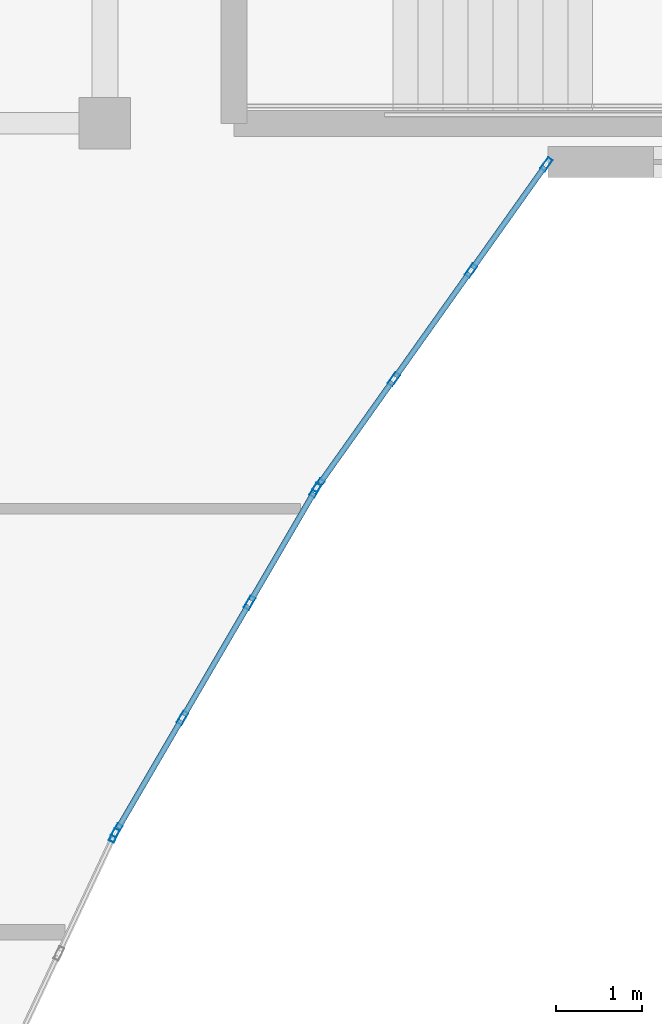
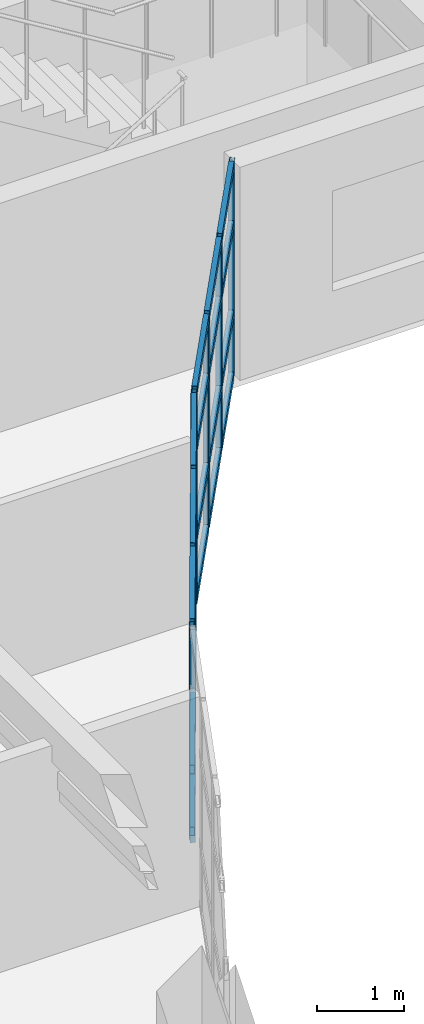
# One storey, part 8 of 79: 33 members, 3 elements without a shape of their own.
"""IFC4 building model written with IfcOpenShell, lengths in metres."""

from ifc_helpers import new_model, si_unit, direction, frame, origin, origin_2d, place, context, subcontext, project, spatial, hollow_rectangle, extrude, material, layer, layer_set, material_profile, profile_set, type_object, element, aggregate, save


model = new_model("IFC4")

# Units and contexts
model_context = context("Model", 3, precision=1e-05, world=origin(), true_north=direction((0.0, 1.0)))
body_context = subcontext(model_context, "Body", "Model", "MODEL_VIEW")
ifc_project = project(units=[si_unit("LENGTHUNIT", "METRE"), si_unit("AREAUNIT", "SQUARE_METRE"), si_unit("VOLUMEUNIT", "CUBIC_METRE"), si_unit("PLANEANGLEUNIT", "RADIAN"), si_unit("MASSUNIT", "GRAM", prefix="KILO")], contexts=[model_context])

# Site, building, storey
site_placement = place(None, origin())
site = spatial("IfcSite", under=ifc_project, at=site_placement, CompositionType="ELEMENT")
building_placement = place(site_placement, origin())
building = spatial("IfcBuilding", under=site, at=building_placement, Name="Keldmere Railside Commons", CompositionType="ELEMENT")
storey_placement = place(building_placement, frame((0.0, 0.0, 10.56005859375)))
storey = spatial("IfcBuildingStorey", under=building, at=storey_placement, Name="L03", CompositionType="ELEMENT", Elevation=10.56005859375)

# Curtain wall, member
ifc_material = material(Name="Thermally Broken Aluminium", Category="aluminium")
ifc_layer_1 = layer(ifc_material, 0.159912109375, Name="Court Chord Wintergarden CW 4800x2850")
ifc_layer_set_1 = layer_set([ifc_layer_1], Name="Thermally Broken Aluminium")
curtain_wall_type_1 = type_object("IfcCurtainWallType", Name="Court Chord Wintergarden CW 4800x2850", PredefinedType="NOTDEFINED", material=ifc_layer_set_1)
curtain_wall_1_placement = place(storey_placement, origin())
curtain_wall_1 = element("IfcCurtainWall", 1, at=curtain_wall_1_placement, inside=storey, type_object=curtain_wall_type_1, Name="CW-12 CW-L03-010", PredefinedType="NOTDEFINED")
ifc_material_profile_1 = material_profile(ifc_material, hollow_rectangle(XDim=0.06494140625, YDim=0.159912109375, WallThickness=0.00390625, at=origin_2d()), Name="ALU-MULL-65x160")
ifc_profile_set_1 = profile_set([ifc_material_profile_1], Name="Thermally Broken Aluminium")
member_type_1 = type_object("IfcMemberType", Name="Unitised Curtain Wall Mullion 65x160", PredefinedType="MULLION", material=ifc_profile_set_1)
member_1_placement = place(storey_placement, frame((25.958251953125, 92.173583984375, 0.0), z_axis=(0.0, 0.0, 1.0), x_axis=(0.905306255478, -0.424759442264, 0.0)))
member_1 = element("IfcMember", 2, at=member_1_placement, type_object=member_type_1, Name="CW-12 mullion 1", PredefinedType="MULLION", context=body_context, shape_type="SweptSolid", body=[
    extrude(hollow_rectangle(XDim=0.06494140625, YDim=0.159912109375, WallThickness=0.00390625, at=origin_2d()), origin(), (0.0, 0.0, 1.0), 2.97998046875),
])
aggregate(curtain_wall_1, [member_1])

# Curtain wall, members
ifc_layer_2 = layer(ifc_material, 0.159912109375, Name="Court Chord Wintergarden CW 5400x2850")
ifc_layer_set_2 = layer_set([ifc_layer_2], Name="Thermally Broken Aluminium")
curtain_wall_type_2 = type_object("IfcCurtainWallType", Name="Court Chord Wintergarden CW 5400x2850", PredefinedType="NOTDEFINED", material=ifc_layer_set_2)
curtain_wall_2_placement = place(storey_placement, origin())
curtain_wall_2 = element("IfcCurtainWall", 3, at=curtain_wall_2_placement, inside=storey, type_object=curtain_wall_type_2, Name="CW-13 CW-L03-011", PredefinedType="NOTDEFINED")
member_2_placement = place(storey_placement, frame((28.295654296875, 96.18603515625, 0.0), z_axis=(0.0, 0.0, 1.0), x_axis=(0.86375546846, -0.503911193272, 0.0)))
member_2 = element("IfcMember", 4, at=member_2_placement, type_object=member_type_1, Name="CW-13 mullion 1", PredefinedType="MULLION", context=body_context, shape_type="SweptSolid", body=[
    extrude(hollow_rectangle(XDim=0.06494140625, YDim=0.159912109375, WallThickness=0.00390625, at=origin_2d()), origin(), (0.0, 0.0, 1.0), 2.97998046875),
])
member_3_placement = place(storey_placement, frame((27.531982421875, 94.876953125, 0.0), z_axis=(0.0, 0.0, 1.0), x_axis=(0.86375546846, -0.503911193272, 0.0)))
member_3 = element("IfcMember", 5, at=member_3_placement, type_object=member_type_1, Name="CW-13 mullion 2", PredefinedType="MULLION", context=body_context, shape_type="SweptSolid", body=[
    extrude(hollow_rectangle(XDim=0.06494140625, YDim=0.159912109375, WallThickness=0.00390625, at=origin_2d()), origin(), (0.0, 0.0, 1.0), 2.97998046875),
])
member_4_placement = place(storey_placement, frame((26.751953125, 93.5400390625, 0.0), z_axis=(0.0, 0.0, 1.0), x_axis=(0.86375546846, -0.503911193272, 0.0)))
member_4 = element("IfcMember", 6, at=member_4_placement, type_object=member_type_1, Name="CW-13 mullion 3", PredefinedType="MULLION", context=body_context, shape_type="SweptSolid", body=[
    extrude(hollow_rectangle(XDim=0.06494140625, YDim=0.159912109375, WallThickness=0.00390625, at=origin_2d()), origin(), (0.0, 0.0, 1.0), 2.97998046875),
])
member_5_placement = place(storey_placement, frame((25.98828125, 92.23095703125, 0.0), z_axis=(0.0, 0.0, 1.0), x_axis=(0.86375546846, -0.503911193272, 0.0)))
member_5 = element("IfcMember", 7, at=member_5_placement, type_object=member_type_1, Name="CW-13 mullion 4", PredefinedType="MULLION", context=body_context, shape_type="SweptSolid", body=[
    extrude(hollow_rectangle(XDim=0.06494140625, YDim=0.159912109375, WallThickness=0.00390625, at=origin_2d()), origin(), (0.0, 0.0, 1.0), 2.97998046875),
])

curtain_wall_3_placement = place(storey_placement, origin())
curtain_wall_3 = element("IfcCurtainWall", 8, at=curtain_wall_3_placement, inside=storey, type_object=curtain_wall_type_1, Name="CW-12 CW-L03-012", PredefinedType="NOTDEFINED")
member_6_placement = place(storey_placement, frame((30.981201171875, 99.973388671875, 0.0), z_axis=(0.0, 0.0, 1.0), x_axis=(0.815389084395, -0.578913327753, 0.0)))
member_6 = element("IfcMember", 9, at=member_6_placement, type_object=member_type_1, Name="CW-12 mullion 1", PredefinedType="MULLION", context=body_context, shape_type="SweptSolid", body=[
    extrude(hollow_rectangle(XDim=0.06494140625, YDim=0.159912109375, WallThickness=0.00390625, at=origin_2d()), origin(), (0.0, 0.0, 1.0), 2.97998046875),
])
member_7_placement = place(storey_placement, frame((30.10400390625, 98.738037109375, 0.0), z_axis=(0.0, 0.0, 1.0), x_axis=(0.815389084395, -0.578913327753, 0.0)))
member_7 = element("IfcMember", 10, at=member_7_placement, type_object=member_type_1, Name="CW-12 mullion 2", PredefinedType="MULLION", context=body_context, shape_type="SweptSolid", body=[
    extrude(hollow_rectangle(XDim=0.06494140625, YDim=0.159912109375, WallThickness=0.00390625, at=origin_2d()), origin(), (0.0, 0.0, 1.0), 2.97998046875),
])
member_8_placement = place(storey_placement, frame((29.2080078125, 97.47607421875, 0.0), z_axis=(0.0, 0.0, 1.0), x_axis=(0.815389084395, -0.578913327753, 0.0)))
member_8 = element("IfcMember", 11, at=member_8_placement, type_object=member_type_1, Name="CW-12 mullion 3", PredefinedType="MULLION", context=body_context, shape_type="SweptSolid", body=[
    extrude(hollow_rectangle(XDim=0.06494140625, YDim=0.159912109375, WallThickness=0.00390625, at=origin_2d()), origin(), (0.0, 0.0, 1.0), 2.97998046875),
])
member_9_placement = place(storey_placement, frame((28.330810546875, 96.240478515625, 0.0), z_axis=(0.0, 0.0, 1.0), x_axis=(0.815389084395, -0.578913327753, 0.0)))
member_9 = element("IfcMember", 12, at=member_9_placement, type_object=member_type_1, Name="CW-12 mullion 4", PredefinedType="MULLION", context=body_context, shape_type="SweptSolid", body=[
    extrude(hollow_rectangle(XDim=0.06494140625, YDim=0.159912109375, WallThickness=0.00390625, at=origin_2d()), origin(), (0.0, 0.0, 1.0), 2.97998046875),
])

# Member
ifc_material_profile_2 = material_profile(ifc_material, hollow_rectangle(XDim=0.06494140625, YDim=0.1201171875, WallThickness=0.00390625, at=origin_2d()), Name="ALU-TRAN-65x120")
ifc_profile_set_2 = profile_set([ifc_material_profile_2], Name="Thermally Broken Aluminium")
member_type_2 = type_object("IfcMemberType", Name="Unitised Curtain Wall Transom 65x120", PredefinedType="USERDEFINED", material=ifc_profile_set_2)
member_10_placement = place(storey_placement, frame((28.279296875, 96.157958984375, 0.032470703125), z_axis=(-0.503912883812, -0.863754482205, 0.0), x_axis=(0.863754482205, -0.503912883812, 0.0)))
member_10 = element("IfcMember", 13, at=member_10_placement, type_object=member_type_2, Name="CW-13 transom 1.1", ObjectType="TRANSOM", PredefinedType="USERDEFINED", context=body_context, shape_type="SweptSolid", body=[
    extrude(hollow_rectangle(XDim=0.06494140625, YDim=0.1201171875, WallThickness=0.00390625, at=origin_2d()), origin(), (0.0, 0.0, 1.0), 1.45068359375),
])

member_11_placement = place(storey_placement, frame((28.279296875, 96.157958984375, 0.89990234375), z_axis=(-0.503912883812, -0.863754482205, 0.0), x_axis=(0.863754482205, -0.503912883812, 0.0)))
member_11 = element("IfcMember", 14, at=member_11_placement, type_object=member_type_2, Name="CW-13 transom 1.2", ObjectType="TRANSOM", PredefinedType="USERDEFINED", context=body_context, shape_type="SweptSolid", body=[
    extrude(hollow_rectangle(XDim=0.06494140625, YDim=0.1201171875, WallThickness=0.00390625, at=origin_2d()), origin(), (0.0, 0.0, 1.0), 1.45068359375),
])

member_12_placement = place(storey_placement, frame((28.279296875, 96.157958984375, 2.14990234375), z_axis=(-0.503912883812, -0.863754482205, 0.0), x_axis=(0.863754482205, -0.503912883812, 0.0)))
member_12 = element("IfcMember", 15, at=member_12_placement, type_object=member_type_2, Name="CW-13 transom 1.3", ObjectType="TRANSOM", PredefinedType="USERDEFINED", context=body_context, shape_type="SweptSolid", body=[
    extrude(hollow_rectangle(XDim=0.06494140625, YDim=0.1201171875, WallThickness=0.00390625, at=origin_2d()), origin(), (0.0, 0.0, 1.0), 1.45068359375),
])

member_13_placement = place(storey_placement, frame((28.279296875, 96.157958984375, 2.947509765625), z_axis=(-0.503912883812, -0.863754482205, 0.0), x_axis=(0.863754482205, -0.503912883812, 0.0)))
member_13 = element("IfcMember", 16, at=member_13_placement, type_object=member_type_2, Name="CW-13 transom 1.4", ObjectType="TRANSOM", PredefinedType="USERDEFINED", context=body_context, shape_type="SweptSolid", body=[
    extrude(hollow_rectangle(XDim=0.06494140625, YDim=0.1201171875, WallThickness=0.00390625, at=origin_2d()), origin(), (0.0, 0.0, 1.0), 1.45068359375),
])

member_14_placement = place(storey_placement, frame((27.515625, 94.848876953125, 0.032470703125), z_axis=(-0.503973390927, -0.863719179616, 0.0), x_axis=(0.863719179616, -0.503973390927, 0.0)))
member_14 = element("IfcMember", 17, at=member_14_placement, type_object=member_type_2, Name="CW-13 transom 2.1", ObjectType="TRANSOM", PredefinedType="USERDEFINED", context=body_context, shape_type="SweptSolid", body=[
    extrude(hollow_rectangle(XDim=0.06494140625, YDim=0.1201171875, WallThickness=0.00390625, at=origin_2d()), origin(), (0.0, 0.0, 1.0), 1.48291015625),
])

member_15_placement = place(storey_placement, frame((27.515625, 94.848876953125, 0.89990234375), z_axis=(-0.503973390927, -0.863719179616, 0.0), x_axis=(0.863719179616, -0.503973390927, 0.0)))
member_15 = element("IfcMember", 18, at=member_15_placement, type_object=member_type_2, Name="CW-13 transom 2.2", ObjectType="TRANSOM", PredefinedType="USERDEFINED", context=body_context, shape_type="SweptSolid", body=[
    extrude(hollow_rectangle(XDim=0.06494140625, YDim=0.1201171875, WallThickness=0.00390625, at=origin_2d()), origin(), (0.0, 0.0, 1.0), 1.48291015625),
])

member_16_placement = place(storey_placement, frame((27.515625, 94.848876953125, 2.14990234375), z_axis=(-0.503973390927, -0.863719179616, 0.0), x_axis=(0.863719179616, -0.503973390927, 0.0)))
member_16 = element("IfcMember", 19, at=member_16_placement, type_object=member_type_2, Name="CW-13 transom 2.3", ObjectType="TRANSOM", PredefinedType="USERDEFINED", context=body_context, shape_type="SweptSolid", body=[
    extrude(hollow_rectangle(XDim=0.06494140625, YDim=0.1201171875, WallThickness=0.00390625, at=origin_2d()), origin(), (0.0, 0.0, 1.0), 1.48291015625),
])

member_17_placement = place(storey_placement, frame((27.515625, 94.848876953125, 2.947509765625), z_axis=(-0.503973390927, -0.863719179616, 0.0), x_axis=(0.863719179616, -0.503973390927, 0.0)))
member_17 = element("IfcMember", 20, at=member_17_placement, type_object=member_type_2, Name="CW-13 transom 2.4", ObjectType="TRANSOM", PredefinedType="USERDEFINED", context=body_context, shape_type="SweptSolid", body=[
    extrude(hollow_rectangle(XDim=0.06494140625, YDim=0.1201171875, WallThickness=0.00390625, at=origin_2d()), origin(), (0.0, 0.0, 1.0), 1.48291015625),
])

member_18_placement = place(storey_placement, frame((26.735595703125, 93.511962890625, 0.032470703125), z_axis=(-0.503912883812, -0.863754482205, 0.0), x_axis=(0.863754482205, -0.503912883812, 0.0)))
member_18 = element("IfcMember", 21, at=member_18_placement, type_object=member_type_2, Name="CW-13 transom 3.1", ObjectType="TRANSOM", PredefinedType="USERDEFINED", context=body_context, shape_type="SweptSolid", body=[
    extrude(hollow_rectangle(XDim=0.06494140625, YDim=0.1201171875, WallThickness=0.00390625, at=origin_2d()), origin(), (0.0, 0.0, 1.0), 1.45068359375),
])

member_19_placement = place(storey_placement, frame((26.735595703125, 93.511962890625, 0.89990234375), z_axis=(-0.503912883812, -0.863754482205, 0.0), x_axis=(0.863754482205, -0.503912883812, 0.0)))
member_19 = element("IfcMember", 22, at=member_19_placement, type_object=member_type_2, Name="CW-13 transom 3.2", ObjectType="TRANSOM", PredefinedType="USERDEFINED", context=body_context, shape_type="SweptSolid", body=[
    extrude(hollow_rectangle(XDim=0.06494140625, YDim=0.1201171875, WallThickness=0.00390625, at=origin_2d()), origin(), (0.0, 0.0, 1.0), 1.45068359375),
])

member_20_placement = place(storey_placement, frame((26.735595703125, 93.511962890625, 2.14990234375), z_axis=(-0.503912883812, -0.863754482205, 0.0), x_axis=(0.863754482205, -0.503912883812, 0.0)))
member_20 = element("IfcMember", 23, at=member_20_placement, type_object=member_type_2, Name="CW-13 transom 3.3", ObjectType="TRANSOM", PredefinedType="USERDEFINED", context=body_context, shape_type="SweptSolid", body=[
    extrude(hollow_rectangle(XDim=0.06494140625, YDim=0.1201171875, WallThickness=0.00390625, at=origin_2d()), origin(), (0.0, 0.0, 1.0), 1.45068359375),
])

member_21_placement = place(storey_placement, frame((26.735595703125, 93.511962890625, 2.947509765625), z_axis=(-0.503912883812, -0.863754482205, 0.0), x_axis=(0.863754482205, -0.503912883812, 0.0)))
member_21 = element("IfcMember", 24, at=member_21_placement, type_object=member_type_2, Name="CW-13 transom 3.4", ObjectType="TRANSOM", PredefinedType="USERDEFINED", context=body_context, shape_type="SweptSolid", body=[
    extrude(hollow_rectangle(XDim=0.06494140625, YDim=0.1201171875, WallThickness=0.00390625, at=origin_2d()), origin(), (0.0, 0.0, 1.0), 1.45068359375),
])

aggregate(curtain_wall_2, [member_2, member_3, member_4, member_5, member_10, member_11, member_12, member_13, member_14, member_15, member_16, member_17, member_18, member_19, member_20, member_21])

member_22_placement = place(storey_placement, frame((30.96240234375, 99.947021484375, 0.032470703125), z_axis=(-0.578895059002, -0.815402054611, 0.0), x_axis=(0.815402054611, -0.578895059002, 0.0)))
member_22 = element("IfcMember", 25, at=member_22_placement, type_object=member_type_2, Name="CW-12 transom 1.1", ObjectType="TRANSOM", PredefinedType="USERDEFINED", context=body_context, shape_type="SweptSolid", body=[
    extrude(hollow_rectangle(XDim=0.06494140625, YDim=0.1201171875, WallThickness=0.00390625, at=origin_2d()), origin(), (0.0, 0.0, 1.0), 1.450439453125),
])

member_23_placement = place(storey_placement, frame((30.96240234375, 99.947021484375, 0.89990234375), z_axis=(-0.578895059002, -0.815402054611, 0.0), x_axis=(0.815402054611, -0.578895059002, 0.0)))
member_23 = element("IfcMember", 26, at=member_23_placement, type_object=member_type_2, Name="CW-12 transom 1.2", ObjectType="TRANSOM", PredefinedType="USERDEFINED", context=body_context, shape_type="SweptSolid", body=[
    extrude(hollow_rectangle(XDim=0.06494140625, YDim=0.1201171875, WallThickness=0.00390625, at=origin_2d()), origin(), (0.0, 0.0, 1.0), 1.450439453125),
])

member_24_placement = place(storey_placement, frame((30.96240234375, 99.947021484375, 2.14990234375), z_axis=(-0.578895059002, -0.815402054611, 0.0), x_axis=(0.815402054611, -0.578895059002, 0.0)))
member_24 = element("IfcMember", 27, at=member_24_placement, type_object=member_type_2, Name="CW-12 transom 1.3", ObjectType="TRANSOM", PredefinedType="USERDEFINED", context=body_context, shape_type="SweptSolid", body=[
    extrude(hollow_rectangle(XDim=0.06494140625, YDim=0.1201171875, WallThickness=0.00390625, at=origin_2d()), origin(), (0.0, 0.0, 1.0), 1.450439453125),
])

member_25_placement = place(storey_placement, frame((30.96240234375, 99.947021484375, 2.947509765625), z_axis=(-0.578895059002, -0.815402054611, 0.0), x_axis=(0.815402054611, -0.578895059002, 0.0)))
member_25 = element("IfcMember", 28, at=member_25_placement, type_object=member_type_2, Name="CW-12 transom 1.4", ObjectType="TRANSOM", PredefinedType="USERDEFINED", context=body_context, shape_type="SweptSolid", body=[
    extrude(hollow_rectangle(XDim=0.06494140625, YDim=0.1201171875, WallThickness=0.00390625, at=origin_2d()), origin(), (0.0, 0.0, 1.0), 1.450439453125),
])

member_26_placement = place(storey_placement, frame((30.085205078125, 98.71142578125, 0.032470703125), z_axis=(-0.578930676765, -0.815376766593, 0.0), x_axis=(0.815376766593, -0.578930676765, 0.0)))
member_26 = element("IfcMember", 29, at=member_26_placement, type_object=member_type_2, Name="CW-12 transom 2.1", ObjectType="TRANSOM", PredefinedType="USERDEFINED", context=body_context, shape_type="SweptSolid", body=[
    extrude(hollow_rectangle(XDim=0.06494140625, YDim=0.1201171875, WallThickness=0.00390625, at=origin_2d()), origin(), (0.0, 0.0, 1.0), 1.482666015625),
])

member_27_placement = place(storey_placement, frame((30.085205078125, 98.71142578125, 0.89990234375), z_axis=(-0.578930676765, -0.815376766593, 0.0), x_axis=(0.815376766593, -0.578930676765, 0.0)))
member_27 = element("IfcMember", 30, at=member_27_placement, type_object=member_type_2, Name="CW-12 transom 2.2", ObjectType="TRANSOM", PredefinedType="USERDEFINED", context=body_context, shape_type="SweptSolid", body=[
    extrude(hollow_rectangle(XDim=0.06494140625, YDim=0.1201171875, WallThickness=0.00390625, at=origin_2d()), origin(), (0.0, 0.0, 1.0), 1.482666015625),
])

member_28_placement = place(storey_placement, frame((30.085205078125, 98.71142578125, 2.14990234375), z_axis=(-0.578930676765, -0.815376766593, 0.0), x_axis=(0.815376766593, -0.578930676765, 0.0)))
member_28 = element("IfcMember", 31, at=member_28_placement, type_object=member_type_2, Name="CW-12 transom 2.3", ObjectType="TRANSOM", PredefinedType="USERDEFINED", context=body_context, shape_type="SweptSolid", body=[
    extrude(hollow_rectangle(XDim=0.06494140625, YDim=0.1201171875, WallThickness=0.00390625, at=origin_2d()), origin(), (0.0, 0.0, 1.0), 1.482666015625),
])

member_29_placement = place(storey_placement, frame((30.085205078125, 98.71142578125, 2.947509765625), z_axis=(-0.578930676765, -0.815376766593, 0.0), x_axis=(0.815376766593, -0.578930676765, 0.0)))
member_29 = element("IfcMember", 32, at=member_29_placement, type_object=member_type_2, Name="CW-12 transom 2.4", ObjectType="TRANSOM", PredefinedType="USERDEFINED", context=body_context, shape_type="SweptSolid", body=[
    extrude(hollow_rectangle(XDim=0.06494140625, YDim=0.1201171875, WallThickness=0.00390625, at=origin_2d()), origin(), (0.0, 0.0, 1.0), 1.482666015625),
])

member_30_placement = place(storey_placement, frame((29.189208984375, 97.449462890625, 0.032470703125), z_axis=(-0.578974525468, -0.815345631533, 0.0), x_axis=(0.815345631533, -0.578974525468, 0.0)))
member_30 = element("IfcMember", 33, at=member_30_placement, type_object=member_type_2, Name="CW-12 transom 3.1", ObjectType="TRANSOM", PredefinedType="USERDEFINED", context=body_context, shape_type="SweptSolid", body=[
    extrude(hollow_rectangle(XDim=0.06494140625, YDim=0.1201171875, WallThickness=0.00390625, at=origin_2d()), origin(), (0.0, 0.0, 1.0), 1.4501953125),
])

member_31_placement = place(storey_placement, frame((29.189208984375, 97.449462890625, 0.89990234375), z_axis=(-0.578974525468, -0.815345631533, 0.0), x_axis=(0.815345631533, -0.578974525468, 0.0)))
member_31 = element("IfcMember", 34, at=member_31_placement, type_object=member_type_2, Name="CW-12 transom 3.2", ObjectType="TRANSOM", PredefinedType="USERDEFINED", context=body_context, shape_type="SweptSolid", body=[
    extrude(hollow_rectangle(XDim=0.06494140625, YDim=0.1201171875, WallThickness=0.00390625, at=origin_2d()), origin(), (0.0, 0.0, 1.0), 1.4501953125),
])

member_32_placement = place(storey_placement, frame((29.189208984375, 97.449462890625, 2.14990234375), z_axis=(-0.578974525468, -0.815345631533, 0.0), x_axis=(0.815345631533, -0.578974525468, 0.0)))
member_32 = element("IfcMember", 35, at=member_32_placement, type_object=member_type_2, Name="CW-12 transom 3.3", ObjectType="TRANSOM", PredefinedType="USERDEFINED", context=body_context, shape_type="SweptSolid", body=[
    extrude(hollow_rectangle(XDim=0.06494140625, YDim=0.1201171875, WallThickness=0.00390625, at=origin_2d()), origin(), (0.0, 0.0, 1.0), 1.4501953125),
])

member_33_placement = place(storey_placement, frame((29.189208984375, 97.449462890625, 2.947509765625), z_axis=(-0.578974525468, -0.815345631533, 0.0), x_axis=(0.815345631533, -0.578974525468, 0.0)))
member_33 = element("IfcMember", 36, at=member_33_placement, type_object=member_type_2, Name="CW-12 transom 3.4", ObjectType="TRANSOM", PredefinedType="USERDEFINED", context=body_context, shape_type="SweptSolid", body=[
    extrude(hollow_rectangle(XDim=0.06494140625, YDim=0.1201171875, WallThickness=0.00390625, at=origin_2d()), origin(), (0.0, 0.0, 1.0), 1.4501953125),
])

aggregate(curtain_wall_3, [member_6, member_7, member_8, member_9, member_22, member_23, member_24, member_25, member_26, member_27, member_28, member_29, member_30, member_31, member_32, member_33])

save(model, "model.ifc")
